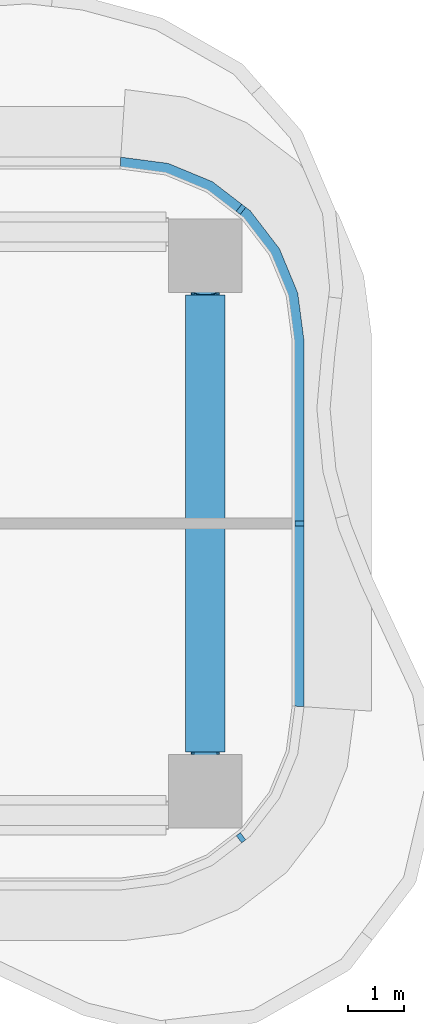
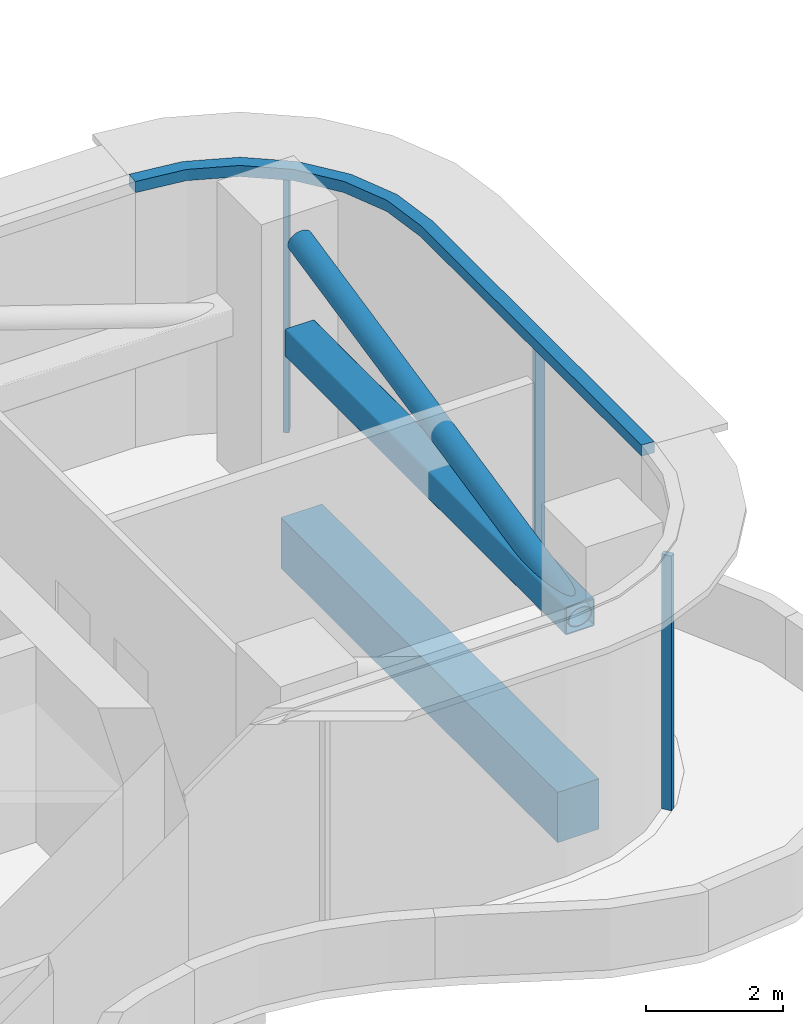
# One storey, part 9 of 20: 5 members, 2 beams, 2 elements without a shape of their own.
"""IFC4 building model written with IfcOpenShell, lengths in metres."""

from ifc_helpers import new_model, si_unit, direction, frame, origin, origin_2d, place, context, subcontext, project, spatial, polyline, rectangle, hollow_rectangle, hollow_circle, outline, extrude, source, transform, mapped, material, layer, layer_set, material_profile, profile_set, type_object, element, aggregate, save


model = new_model("IFC4")

# Units and contexts
model_context = context("Model", 3, precision=1e-05, world=origin(), true_north=direction((0.0, 1.0)))
body_context = subcontext(model_context, "Body", "Model", "MODEL_VIEW")
ifc_project = project(units=[si_unit("LENGTHUNIT", "METRE"), si_unit("AREAUNIT", "SQUARE_METRE"), si_unit("VOLUMEUNIT", "CUBIC_METRE"), si_unit("PLANEANGLEUNIT", "RADIAN"), si_unit("MASSUNIT", "GRAM", prefix="KILO")], contexts=[model_context])

# Site, building, storey
site_placement = place(None, origin())
site = spatial("IfcSite", under=ifc_project, at=site_placement, CompositionType="ELEMENT")
building_placement = place(site_placement, origin())
building = spatial("IfcBuilding", under=site, at=building_placement, Name="Trellis Farm Tower", CompositionType="ELEMENT")
storey_placement = place(building_placement, frame((0.0, 0.0, 92.5)))
storey = spatial("IfcBuildingStorey", under=building, at=storey_placement, Name="L19", CompositionType="ELEMENT", Elevation=92.5)

# Curtain wall, member
ifc_material_1 = material(Name="Aluminium and glass curtain wall", Category="aluminium")
ifc_layer_1 = layer(ifc_material_1, 0.196044921875)
ifc_layer_set_1 = layer_set([ifc_layer_1], Name="LOUVRED GLASS CURTAIN WALL CW6")
curtain_wall_type = type_object("IfcCurtainWallType", Name="LOUVRED GLASS CURTAIN WALL CW6", PredefinedType="NOTDEFINED", material=ifc_layer_set_1)
placement = place(storey_placement, origin())
curtain_wall_1 = element("IfcCurtainWall", 1, at=placement, inside=storey, type_object=curtain_wall_type, Name="CW6 008", PredefinedType="NOTDEFINED")
ifc_material_2 = material(Name="Aluminium extrusion 6063-T6", Category="aluminium")
ifc_layer_2 = layer(ifc_material_2, 0.2099609375)
ifc_layer_set_2 = layer_set([ifc_layer_2], Name="Aluminium extrusion 6063-T6")
member_type_1 = type_object("IfcMemberType", Name="CW6 TRANSOM 210x200", PredefinedType="USERDEFINED", material=ifc_layer_set_2)
member_1_placement = place(storey_placement, frame((0.0, 0.0, 4.550048828125)))
member_1 = element("IfcMember", 2, at=member_1_placement, type_object=member_type_1, Name="TR6 008", ObjectType="TRANSOM", PredefinedType="USERDEFINED", context=body_context, shape_type="SweptSolid", body=[
    extrude(outline(polyline([(32.5, -3.25), (32.5, 3.25), (32.38916015625, 4.091064453125), (32.064697265625, 4.875), (31.548095703125, 5.548095703125), (30.875, 6.064697265625), (30.091064453125, 6.38916015625), (29.25, 6.5), (29.236328125, 6.2900390625), (30.036376953125, 6.1845703125), (30.76904296875, 5.881103515625), (31.3984375, 5.3984375), (31.881103515625, 4.76904296875), (32.1845703125, 4.036376953125), (32.2900390625, 3.236328125), (32.2900390625, -3.236328125), (32.5, -3.25)])), origin(), (0.0, 0.0, 1.0), 0.199951171875),
])

# Beams
ifc_material_3 = material(Name="Concrete C60/75", Category="concrete")
ifc_material_profile_1 = material_profile(ifc_material_3, rectangle(XDim=0.699951171875, YDim=0.89990234375, at=origin_2d()), Name="RC spandrel beam 700x900 C60/75")
ifc_profile_set_1 = profile_set([ifc_material_profile_1], Name="Concrete C60/75")
beam_type_1 = type_object("IfcBeamType", Name="RC spandrel beam 700x900 C60/75", PredefinedType="SPANDREL", material=ifc_profile_set_1)
shared_shape_1 = source(origin(), body_context, "Body", "SweptSolid", [
    extrude(rectangle(XDim=0.699951171875, YDim=0.89990234375, at=origin_2d()), origin(), (0.0, 0.0, 1.0), 8.10009765625),
])
beam_1_placement = place(storey_placement, frame((30.75, -4.050048828125, -0.75), z_axis=(0.0, 1.0, 0.0), x_axis=(-1.0, 0.0, 0.0)))
element("IfcBeam", 3, at=beam_1_placement, inside=storey, type_object=beam_type_1, Name="Girder", PredefinedType="SPANDREL", context=body_context, shape_type="MappedRepresentation", body=[
    mapped(shared_shape_1, transform((0.0, 0.0, 0.0))),
])
ifc_material_4 = material(Name="Steel S355", Category="steel")
ifc_material_profile_2 = material_profile(ifc_material_4, hollow_rectangle(XDim=0.5, YDim=0.5, WallThickness=0.02001953125, InnerFilletRadius=0.02001953125, OuterFilletRadius=0.030029296875, at=origin_2d()), Name="SHS 500x500x20")
ifc_profile_set_2 = profile_set([ifc_material_profile_2], Name="Steel S355")
beam_type_2 = type_object("IfcBeamType", Name="SHS 500x500x20", PredefinedType="BEAM", material=ifc_profile_set_2)
shared_shape_2 = source(origin(), body_context, "Body", "SweptSolid", [
    extrude(hollow_rectangle(XDim=0.5, YDim=0.5, WallThickness=0.02001953125, InnerFilletRadius=0.02001953125, OuterFilletRadius=0.030029296875, at=origin_2d()), origin(), (0.0, 0.0, 1.0), 8.2001953125),
])
beam_2_placement = place(storey_placement, frame((30.75, -4.10009765625, 2.75), z_axis=(0.0, 1.0, 0.0), x_axis=(-1.0, 0.0, 0.0)))
element("IfcBeam", 4, at=beam_2_placement, inside=storey, type_object=beam_type_2, Name="Belt truss chord SHS 500x500x20", PredefinedType="BEAM", context=body_context, shape_type="MappedRepresentation", body=[
    mapped(shared_shape_2, transform((0.0, 0.0, 0.0))),
])

# Member
ifc_material_profile_3 = material_profile(ifc_material_4, hollow_circle(Radius=0.203125, WallThickness=0.01611328125, at=origin_2d()), Name="CHS 406.4x16")
ifc_profile_set_3 = profile_set([ifc_material_profile_3], Name="Steel S355")
member_type_2 = type_object("IfcMemberType", Name="CHS 406.4x16 brace", PredefinedType="BRACE", material=ifc_profile_set_3)
shared_shape_3 = source(origin(), body_context, "Body", "SweptSolid", [
    extrude(hollow_circle(Radius=0.203125, WallThickness=0.01611328125, at=origin_2d()), origin(), (0.0, 0.0, 1.0), 8.384765625),
])
member_2_placement = place(storey_placement, frame((30.75, -4.10009765625, 2.75), z_axis=(0.0, 0.97797762433, 0.208709765726), x_axis=(-1.0, 0.0, 0.0)))
element("IfcMember", 5, at=member_2_placement, inside=storey, type_object=member_type_2, Name="Belt truss diagonal CHS 406.4x16", PredefinedType="BRACE", context=body_context, shape_type="MappedRepresentation", body=[
    mapped(shared_shape_3, transform((0.0, 0.0, 0.0))),
])

# Curtain wall, member
curtain_wall_2 = element("IfcCurtainWall", 6, at=placement, inside=storey, type_object=curtain_wall_type, Name="CW6 007", PredefinedType="NOTDEFINED")
ifc_material_profile_4 = material_profile(ifc_material_2, rectangle(XDim=0.090087890625, YDim=0.159912109375, at=origin_2d()), Name="MULLION 90x160")
ifc_profile_set_4 = profile_set([ifc_material_profile_4], Name="Aluminium extrusion 6063-T6")
member_type_3 = type_object("IfcMemberType", Name="CW6 MULLION 90x160", PredefinedType="MULLION", material=ifc_profile_set_4)
shared_shape_4 = source(origin(), body_context, "Body", "SweptSolid", [
    extrude(rectangle(XDim=0.090087890625, YDim=0.159912109375, at=origin_2d()), origin(), (0.0, 0.0, 1.0), 4.550048828125),
])
member_3_placement = place(storey_placement, frame((31.382568359375, -5.57421875, 0.0), z_axis=(0.0, 0.0, 1.0), x_axis=(0.793353340291, 0.608761429009, 0.0)))
member_3 = element("IfcMember", 7, at=member_3_placement, type_object=member_type_3, Name="MU6 007-02", PredefinedType="MULLION", context=body_context, shape_type="MappedRepresentation", body=[
    mapped(shared_shape_4, transform((0.0, 0.0, 0.0))),
])
aggregate(curtain_wall_2, [member_3])

# Member
member_4_placement = place(storey_placement, frame((32.419921875, 0.0, 0.0), z_axis=(0.0, 0.0, 1.0), x_axis=(0.0, 1.0, 0.0)))
member_4 = element("IfcMember", 8, at=member_4_placement, type_object=member_type_3, Name="MU6 008-01", PredefinedType="MULLION", context=body_context, shape_type="MappedRepresentation", body=[
    mapped(shared_shape_4, transform((0.0, 0.0, 0.0))),
])

member_5_placement = place(storey_placement, frame((31.382568359375, 5.57421875, 0.0), z_axis=(0.0, 0.0, 1.0), x_axis=(-0.793353340291, 0.608761429009, 0.0)))
member_5 = element("IfcMember", 9, at=member_5_placement, type_object=member_type_3, Name="MU6 008-02", PredefinedType="MULLION", context=body_context, shape_type="MappedRepresentation", body=[
    mapped(shared_shape_4, transform((0.0, 0.0, 0.0))),
])

aggregate(curtain_wall_1, [member_4, member_5, member_1])

save(model, "model.ifc")
